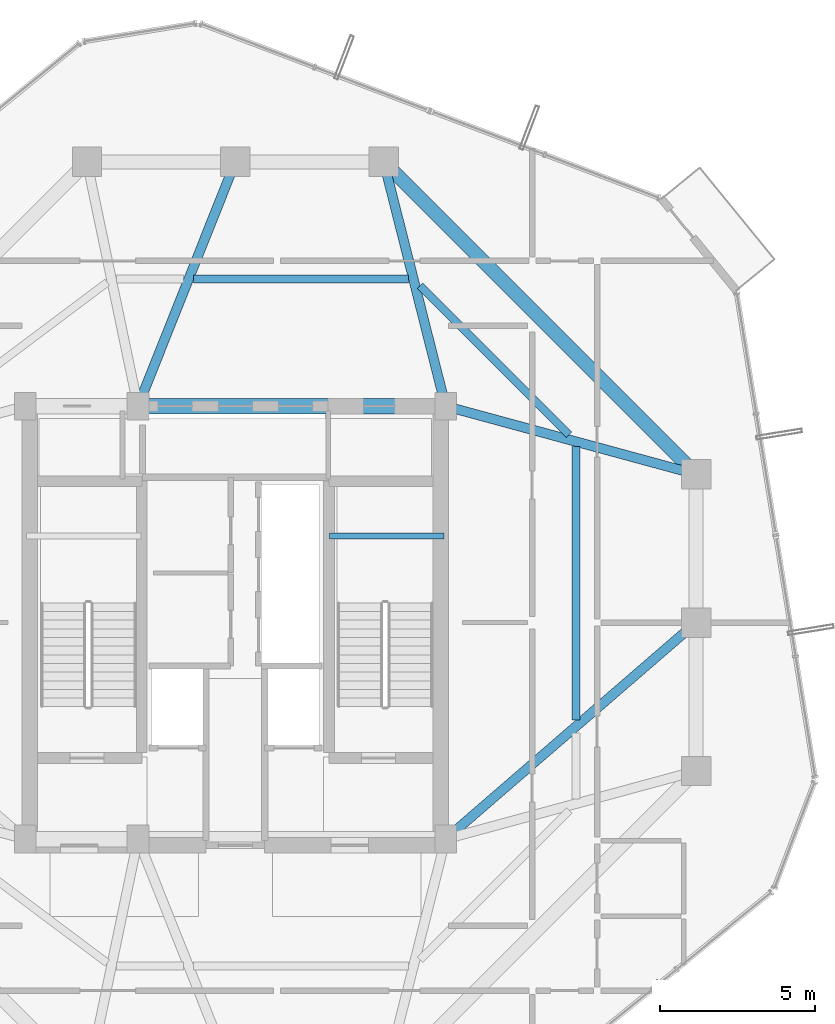
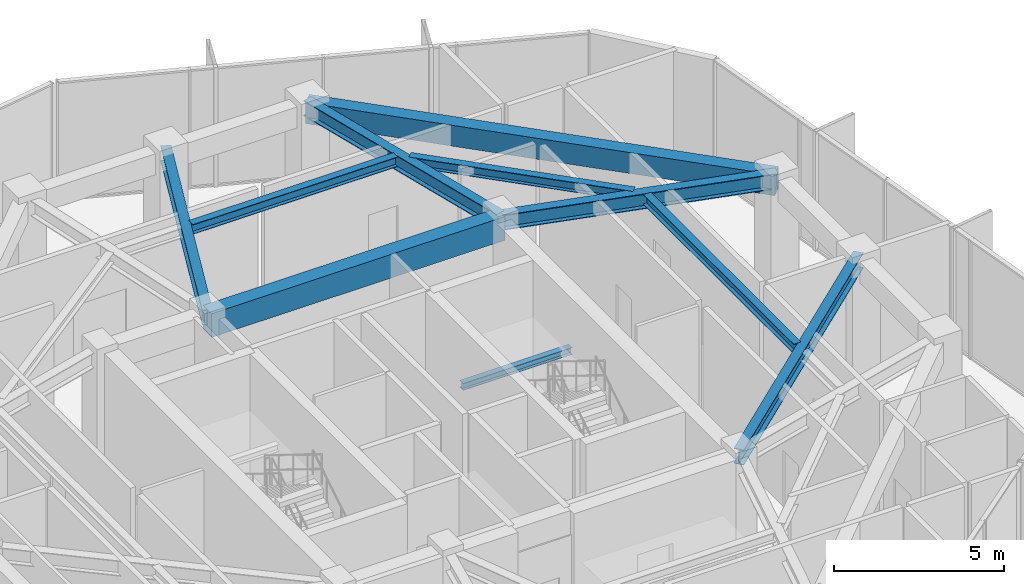
# One storey, part 11 of 22: 10 beams.
"""IFC4 building model written with IfcOpenShell, lengths in metres."""

import ifcopenshell
import ifcopenshell.guid

model = None  # the IFC model being written
_history = None  # IfcOwnerHistory: only IFC2X3 demands one
_inside = {}  # id of a spatial element -> (the spatial element, [elements in it])
_under = {}  # id of a project, library or spatial element -> (it, [spatial elements below it])
_declared = {}  # id of a project -> (the project, [libraries it declares])
_typed = {}  # id of a type object -> (the type object, [elements of that type])
_made_of = {}  # id of a material, layer set ... -> (it, [elements and type objects made of it])


def new_model(schema):
    """Start an empty IFC model of exactly this schema.

    Asked for "IFC4X3", IfcOpenShell would pick the latest addendum, in which some entities
    have other attributes; the version numbers below select the first issue.
    IFC2X3 requires an IfcOwnerHistory on every rooted entity: one is made here for all.
    """
    global model, _history
    if schema == "IFC4X3":
        model = ifcopenshell.file(schema_version=(4, 3, 0, 0))
    else:
        model = ifcopenshell.file(schema=schema)
    _inside.clear()
    _under.clear()
    _declared.clear()
    _typed.clear()
    _made_of.clear()
    _history = None
    if model.schema == "IFC2X3":
        org = make("IfcOrganization", Name="unknown")
        user = make(
            "IfcPersonAndOrganization",
            ThePerson=make("IfcPerson", FamilyName="unknown"),
            TheOrganization=org,
        )
        app = make(
            "IfcApplication",
            ApplicationDeveloper=org,
            Version="unknown",
            ApplicationFullName="unknown",
            ApplicationIdentifier="unknown",
        )
        _history = make(
            "IfcOwnerHistory",
            OwningUser=user,
            OwningApplication=app,
            ChangeAction="ADDED",
            CreationDate=0,
        )
    return model


def make(cls, **values):
    """One entity of the class cls with the attributes given. An attribute that is None is left unset."""
    return model.create_entity(
        cls, **{name: value for name, value in values.items() if value is not None}
    )


def rooted(cls, **values):
    """An entity with a GlobalId (a new one), such as an element, a storey or a relation."""
    return make(cls, GlobalId=ifcopenshell.guid.new(), OwnerHistory=_history, **values)


def si_unit(unit_type, name, prefix=None):
    """IfcSIUnit, for example si_unit("LENGTHUNIT", "METRE", prefix="MILLI")."""
    return make("IfcSIUnit", UnitType=unit_type, Prefix=prefix, Name=name)


def assignment(units):
    """IfcUnitAssignment: the units of a project."""
    return None if units is None else make("IfcUnitAssignment", Units=units)


def point(xyz):
    """IfcCartesianPoint."""
    return None if xyz is None else make("IfcCartesianPoint", Coordinates=xyz)


def direction(xyz):
    """IfcDirection."""
    return None if xyz is None else make("IfcDirection", DirectionRatios=xyz)


def frame(location, z_axis=None, x_axis=None):
    """IfcAxis2Placement3D, a coordinate frame: its origin and axes. An axis left out is left unset."""
    return make(
        "IfcAxis2Placement3D",
        Location=point(location),
        Axis=direction(z_axis),
        RefDirection=direction(x_axis),
    )


def frame_2d(location, x_axis=None):
    """IfcAxis2Placement2D, a coordinate frame in the plane: its origin and x axis."""
    return make(
        "IfcAxis2Placement2D", Location=point(location), RefDirection=direction(x_axis)
    )


def origin():
    """The frame at (0, 0, 0) with its axes left unset."""
    return frame((0.0, 0.0, 0.0))


def origin_2d():
    """The frame at (0, 0) in the plane with its x axis left unset."""
    return frame_2d((0.0, 0.0))


def place(relative_to, where):
    """IfcLocalPlacement: puts the frame where relative to a parent placement (None: the world)."""
    return make(
        "IfcLocalPlacement", PlacementRelTo=relative_to, RelativePlacement=where
    )


def context(
    kind, dimensions, precision=None, world=None, true_north=None, identifier=None
):
    """IfcGeometricRepresentationContext, for example the 3D "Model" context."""
    return make(
        "IfcGeometricRepresentationContext",
        ContextIdentifier=identifier,
        ContextType=kind,
        CoordinateSpaceDimension=dimensions,
        Precision=precision,
        WorldCoordinateSystem=world,
        TrueNorth=true_north,
    )


def subcontext(parent, identifier, kind, view, scale=None):
    """IfcGeometricRepresentationSubContext, for example "Body" below "Model"."""
    return make(
        "IfcGeometricRepresentationSubContext",
        ContextIdentifier=identifier,
        ContextType=kind,
        ParentContext=parent,
        TargetScale=scale,
        TargetView=view,
    )


def project(units=None, contexts=None):
    """IfcProject with its units and contexts."""
    return rooted(
        "IfcProject",
        Name="project",
        RepresentationContexts=contexts,
        UnitsInContext=assignment(units),
    )


def spatial(cls, under=None, at=None, **own):
    """A site, building, storey or space (cls), placed at a placement, below another one or the project."""
    s = rooted(cls, ObjectPlacement=at, **own)
    if under is not None:
        _under.setdefault(under.id(), (under, []))[1].append(s)
    return s


def profile(cls, at=None, kind="AREA", **sizes):
    """A parametric profile (cls). Its sizes go by their IFC names, for example OverallWidth=200.0."""
    return make(cls, ProfileType=kind, Position=at, **sizes)


def rectangle(**sizes):
    """IfcRectangleProfileDef."""
    return profile("IfcRectangleProfileDef", **sizes)


def i_section(**sizes):
    """IfcIShapeProfileDef."""
    return profile("IfcIShapeProfileDef", **sizes)


def extrude(swept, where, along, depth):
    """IfcExtrudedAreaSolid: the profile swept, set in the frame where, extruded along a direction by depth."""
    return make(
        "IfcExtrudedAreaSolid",
        SweptArea=swept,
        Position=where,
        ExtrudedDirection=direction(along),
        Depth=depth,
    )


def shape(context_of_items, identifier, shape_type, items):
    """IfcShapeRepresentation: the items that make up one representation, for example the "Body"."""
    return make(
        "IfcShapeRepresentation",
        ContextOfItems=context_of_items,
        RepresentationIdentifier=identifier,
        RepresentationType=shape_type,
        Items=items,
    )


def material(Name=None, Category=None):
    """IfcMaterial."""
    return make("IfcMaterial", Name=Name, Category=Category)


def material_profile(
    of_material, cross_section, Name=None, Category=None, Priority=None
):
    """IfcMaterialProfile: a cross section and its material."""
    return make(
        "IfcMaterialProfile",
        Name=Name,
        Material=of_material,
        Profile=cross_section,
        Priority=Priority,
        Category=Category,
    )


def profile_set(profiles, Name=None, composite=None):
    """IfcMaterialProfileSet."""
    return make(
        "IfcMaterialProfileSet",
        Name=Name,
        MaterialProfiles=profiles,
        CompositeProfile=composite,
    )


def made_of(thing, what):
    """Note that an element or type object is made of a material, layer set ...; save() writes the relation."""
    if what is not None:
        _made_of.setdefault(what.id(), (what, []))[1].append(thing)
    return thing


def type_object(cls, material=None, **own):
    """A type object (cls), such as IfcWallType, which elements share."""
    return made_of(rooted(cls, **own), material)


def element(
    cls,
    number,
    at=None,
    inside=None,
    cuts=None,
    type_object=None,
    material=None,
    context=None,
    identifier="Body",
    shape_type=None,
    held_by="IfcProductDefinitionShape",
    body=None,
    shapes=None,
    **own,
):
    """One element of the class cls, such as IfcWall. Its Tag is "e" and its number.

    at: its placement. inside: the storey or other place that contains it. cuts: it is an
    opening in that element (IfcRelVoidsElement). A single representation is given by context,
    identifier, shape_type and body (its items); several are given by shapes. held_by: the class
    of the entity that holds the representations. save() writes the other relations.
    """
    e = rooted(cls, Tag="e%d" % number, ObjectPlacement=at, **own)
    if body is not None:
        shapes = [shape(context, identifier, shape_type, body)]
    if shapes is not None:
        e.Representation = make(held_by, Representations=shapes)
    if inside is not None:
        _inside.setdefault(inside.id(), (inside, []))[1].append(e)
    if cuts is not None:
        rooted(
            "IfcRelVoidsElement", RelatingBuildingElement=cuts, RelatedOpeningElement=e
        )
    if type_object is not None:
        _typed.setdefault(type_object.id(), (type_object, []))[1].append(e)
    return made_of(e, material)


def aggregate(whole, parts):
    """IfcRelAggregates: a whole, such as a stair, and the parts it consists of."""
    return rooted("IfcRelAggregates", RelatingObject=whole, RelatedObjects=parts)


def save(model, path):
    """Write the relations noted so far, then the file.

    IfcRelAggregates (storeys below a building ...), IfcRelContainedInSpatialStructure (elements
    in a storey), IfcRelDefinesByType, IfcRelAssociatesMaterial and IfcRelDeclares: one each for
    every whole, place, type object, material and project.
    """
    for whole, parts in _under.values():
        aggregate(whole, parts)
    for where, things in _inside.values():
        rooted(
            "IfcRelContainedInSpatialStructure",
            RelatedElements=things,
            RelatingStructure=where,
        )
    for kind, things in _typed.values():
        rooted("IfcRelDefinesByType", RelatedObjects=things, RelatingType=kind)
    for what, things in _made_of.values():
        rooted("IfcRelAssociatesMaterial", RelatedObjects=things, RelatingMaterial=what)
    for by, libraries in _declared.values():
        rooted("IfcRelDeclares", RelatingContext=by, RelatedDefinitions=libraries)
    model.write(path)


model = new_model("IFC4")

# Units and contexts
model_context = context("Model", 3, precision=1e-05, world=origin(), true_north=direction((0.0, 1.0)))
body_context = subcontext(model_context, "Body", "Model", "MODEL_VIEW")
ifc_project = project(units=[si_unit("LENGTHUNIT", "METRE"), si_unit("AREAUNIT", "SQUARE_METRE"), si_unit("VOLUMEUNIT", "CUBIC_METRE"), si_unit("PLANEANGLEUNIT", "RADIAN"), si_unit("MASSUNIT", "GRAM", prefix="KILO")], contexts=[model_context])

# Site, building, storey
site_placement = place(None, origin())
site = spatial("IfcSite", under=ifc_project, at=site_placement, CompositionType="ELEMENT")
building_placement = place(site_placement, origin())
building = spatial("IfcBuilding", under=site, at=building_placement, Name="Veraguas Prism Commons", CompositionType="ELEMENT")
storey_placement = place(building_placement, frame((0.0, 0.0, 174.35009765625)))
storey = spatial("IfcBuildingStorey", under=building, at=storey_placement, Name="L49", CompositionType="ELEMENT", Elevation=174.35009765625)

# Beams
ifc_material_1 = material(Name="Concrete C50/60", Category="concrete")
ifc_material_profile_1 = material_profile(ifc_material_1, rectangle(XDim=0.5, YDim=0.85009765625, at=origin_2d()), Name="RC500X850")
ifc_profile_set_1 = profile_set([ifc_material_profile_1], Name="Concrete C50/60")
beam_type_1 = type_object("IfcBeamType", Name="Core Coupling Beam RC 500x850", PredefinedType="BEAM", material=ifc_profile_set_1)
beam_1_placement = place(storey_placement, frame((20.85009765625, 31.0, 3.83984375), z_axis=(1.0, 0.0, 0.0), x_axis=(0.0, 1.0, 0.0)))
element("IfcBeam", 1, at=beam_1_placement, inside=storey, type_object=beam_type_1, Name="Core Coupling Beam L49-CRN2", PredefinedType="BEAM", context=body_context, shape_type="SweptSolid", body=[
    extrude(rectangle(XDim=0.5, YDim=0.85009765625, at=origin_2d()), origin(), (0.0, 0.0, 1.0), 9.949951171875),
])
ifc_material_profile_2 = material_profile(ifc_material_1, rectangle(XDim=0.449951171875, YDim=0.75, at=origin_2d()), Name="RC450X750")
ifc_profile_set_2 = profile_set([ifc_material_profile_2], Name="Concrete C50/60")
beam_type_2 = type_object("IfcBeamType", Name="Perimeter Spandrel Upper RC 450x750", PredefinedType="SPANDREL", material=ifc_profile_set_2)
beam_2_placement = place(storey_placement, frame((38.89990234375, 28.800048828125, 3.889892578125), z_axis=(-0.707106781187, 0.707106781187, 0.0), x_axis=(-0.707106781187, -0.707106781187, 0.0)))
element("IfcBeam", 2, at=beam_2_placement, inside=storey, type_object=beam_type_2, Name="Perimeter Spandrel Beam L49-SP03", PredefinedType="SPANDREL", context=body_context, shape_type="SweptSolid", body=[
    extrude(rectangle(XDim=0.449951171875, YDim=0.75, at=origin_2d()), origin(), (0.0, 0.0, 1.0), 14.283447265625),
])
ifc_material_2 = material(Name="Steel ASTM A992 Grade 50", Category="steel")
ifc_material_profile_3 = material_profile(ifc_material_2, i_section(OverallWidth=0.202880859375, OverallDepth=0.251953125, WebThickness=0.008056640625, FlangeThickness=0.013427734375, at=origin_2d()), Name="W250X58")
ifc_profile_set_3 = profile_set([ifc_material_profile_3], Name="Steel ASTM A992 Grade 50")
beam_type_3 = type_object("IfcBeamType", Name="Structural Opening Lintel W250x58", PredefinedType="LINTEL", material=ifc_profile_set_3)
beam_3_placement = place(storey_placement, frame((27.050048828125, 26.800048828125, 1.923828125), z_axis=(1.0, 0.0, 0.0), x_axis=(0.0, 1.0, 0.0)))
element("IfcBeam", 3, at=beam_3_placement, inside=storey, type_object=beam_type_3, Name="Stair ST-02 Half-Landing Support Beam L49-1", PredefinedType="LINTEL", context=body_context, shape_type="SweptSolid", body=[
    extrude(i_section(OverallWidth=0.202880859375, OverallDepth=0.251953125, WebThickness=0.008056640625, FlangeThickness=0.013427734375, at=origin_2d()), origin(), (0.0, 0.0, 1.0), 3.699951171875),
])
ifc_material_profile_4 = material_profile(ifc_material_2, i_section(OverallWidth=0.25390625, OverallDepth=0.35302734375, WebThickness=0.009521484375, FlangeThickness=0.016357421875, at=origin_2d()), Name="W360X91")
ifc_profile_set_4 = profile_set([ifc_material_profile_4], Name="Steel ASTM A992 Grade 50")
beam_type_4 = type_object("IfcBeamType", Name="Upper Floor Joist W360x91", PredefinedType="JOIST", material=ifc_profile_set_4)
beam_4_placement = place(storey_placement, frame((35.011962890625, 20.843017578125, 4.08837890625), z_axis=(0.0, 1.0, 0.0), x_axis=(-1.0, 0.0, 0.0)))
element("IfcBeam", 4, at=beam_4_placement, inside=storey, type_object=beam_type_4, Name="Composite Floor Joist L49-JS02", PredefinedType="JOIST", context=body_context, shape_type="SweptSolid", body=[
    extrude(i_section(OverallWidth=0.25390625, OverallDepth=0.35302734375, WebThickness=0.009521484375, FlangeThickness=0.016357421875, at=origin_2d()), origin(), (0.0, 0.0, 1.0), 8.85400390625),
])
beam_5_placement = place(storey_placement, frame((34.793701171875, 30.074462890625, 4.08837890625), z_axis=(-0.707124682851, 0.707088879069, 0.0), x_axis=(-0.707088879069, -0.707124682851, 0.0)))
element("IfcBeam", 5, at=beam_5_placement, inside=storey, type_object=beam_type_4, Name="Composite Floor Joist L49-JS03", PredefinedType="JOIST", context=body_context, shape_type="SweptSolid", body=[
    extrude(i_section(OverallWidth=0.25390625, OverallDepth=0.35302734375, WebThickness=0.009521484375, FlangeThickness=0.016357421875, at=origin_2d()), origin(), (0.0, 0.0, 1.0), 6.81884765625),
])
beam_6_placement = place(storey_placement, frame((29.601806640625, 35.10791015625, 4.08837890625), z_axis=(-1.0, 0.0, 0.0), x_axis=(0.0, -1.0, 0.0)))
element("IfcBeam", 6, at=beam_6_placement, inside=storey, type_object=beam_type_4, Name="Composite Floor Joist L49-JS04", PredefinedType="JOIST", context=body_context, shape_type="SweptSolid", body=[
    extrude(i_section(OverallWidth=0.25390625, OverallDepth=0.35302734375, WebThickness=0.009521484375, FlangeThickness=0.016357421875, at=origin_2d()), origin(), (0.0, 0.0, 1.0), 6.948486328125),
])
ifc_material_profile_5 = material_profile(ifc_material_2, i_section(OverallWidth=0.31103515625, OverallDepth=0.5458984375, WebThickness=0.0146484375, FlangeThickness=0.023681640625, at=origin_2d()), Name="W530X165")
ifc_profile_set_5 = profile_set([ifc_material_profile_5], Name="Steel ASTM A992 Grade 50")
beam_type_5 = type_object("IfcBeamType", Name="Zone 3 Radial Girder W530x165", PredefinedType="BEAM", material=ifc_profile_set_5)
beam_7_placement = place(storey_placement, frame((38.89990234375, 24.0, 3.991943359375), z_axis=(-0.756607086554, -0.653869800936, 0.0), x_axis=(0.653869800936, -0.756607086554, 0.0)))
element("IfcBeam", 7, at=beam_7_placement, inside=storey, type_object=beam_type_5, Name="Radial Floor Girder L49-RD02", PredefinedType="BEAM", context=body_context, shape_type="SweptSolid", body=[
    extrude(i_section(OverallWidth=0.31103515625, OverallDepth=0.5458984375, WebThickness=0.0146484375, FlangeThickness=0.023681640625, at=origin_2d()), origin(), (0.0, 0.0, 1.0), 10.70556640625),
])
beam_8_placement = place(storey_placement, frame((38.89990234375, 28.800048828125, 3.991943359375), z_axis=(-0.965038506703, 0.262108146725, 0.0), x_axis=(-0.262108146725, -0.965038506703, 0.0)))
element("IfcBeam", 8, at=beam_8_placement, inside=storey, type_object=beam_type_5, Name="Radial Floor Girder L49-RD03", PredefinedType="BEAM", context=body_context, shape_type="SweptSolid", body=[
    extrude(i_section(OverallWidth=0.31103515625, OverallDepth=0.5458984375, WebThickness=0.0146484375, FlangeThickness=0.023681640625, at=origin_2d()), origin(), (0.0, 0.0, 1.0), 8.393310546875),
])
beam_9_placement = place(storey_placement, frame((28.800048828125, 38.89990234375, 3.991943359375), z_axis=(0.245424718066, -0.969415652732, 0.0), x_axis=(0.969415652732, 0.245424718066, 0.0)))
element("IfcBeam", 9, at=beam_9_placement, inside=storey, type_object=beam_type_5, Name="Radial Floor Girder L49-RD04", PredefinedType="BEAM", context=body_context, shape_type="SweptSolid", body=[
    extrude(i_section(OverallWidth=0.31103515625, OverallDepth=0.5458984375, WebThickness=0.0146484375, FlangeThickness=0.023681640625, at=origin_2d()), origin(), (0.0, 0.0, 1.0), 8.149169921875),
])
beam_10_placement = place(storey_placement, frame((24.0, 38.89990234375, 3.991943359375), z_axis=(-0.370370877803, -0.928883960931, 0.0), x_axis=(0.928883960931, -0.370370877803, 0.0)))
element("IfcBeam", 10, at=beam_10_placement, inside=storey, type_object=beam_type_5, Name="Radial Floor Girder L49-RD05", PredefinedType="BEAM", context=body_context, shape_type="SweptSolid", body=[
    extrude(i_section(OverallWidth=0.31103515625, OverallDepth=0.5458984375, WebThickness=0.0146484375, FlangeThickness=0.023681640625, at=origin_2d()), origin(), (0.0, 0.0, 1.0), 8.504638671875),
])

save(model, "model.ifc")
